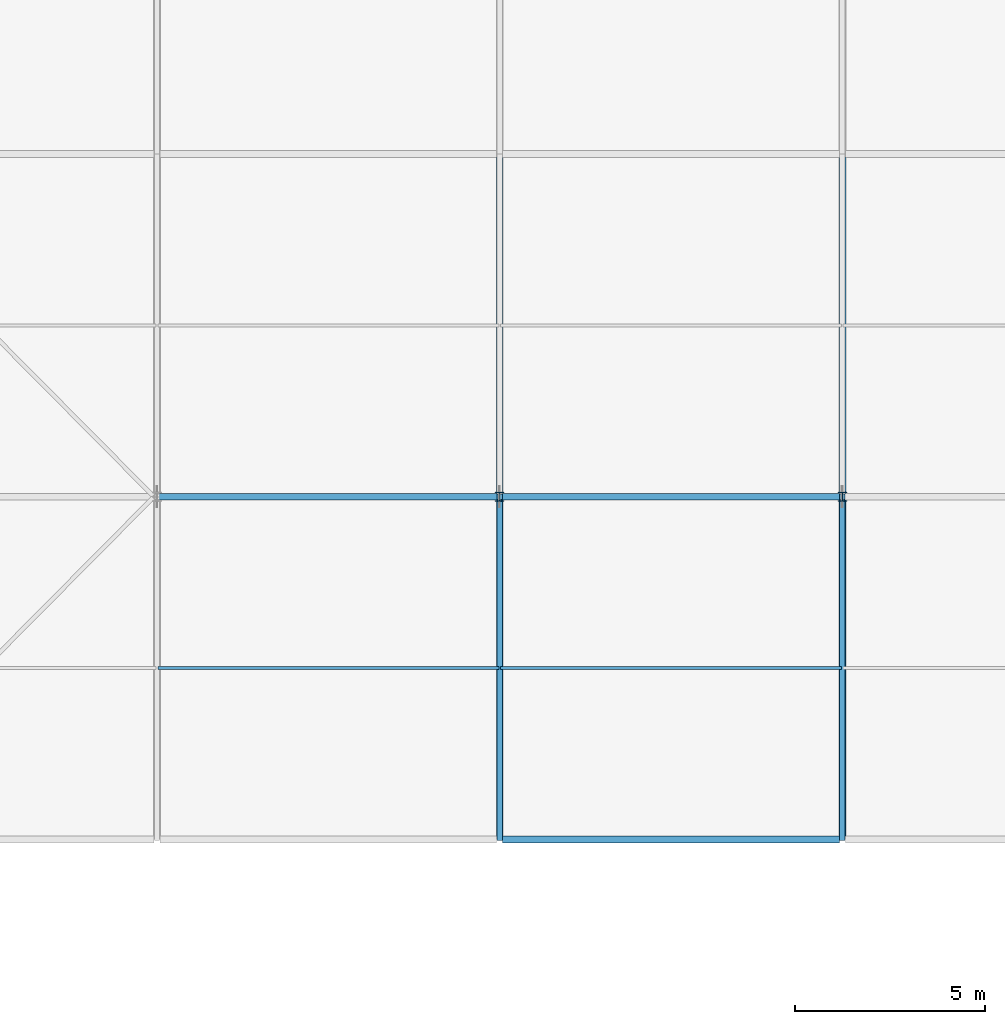
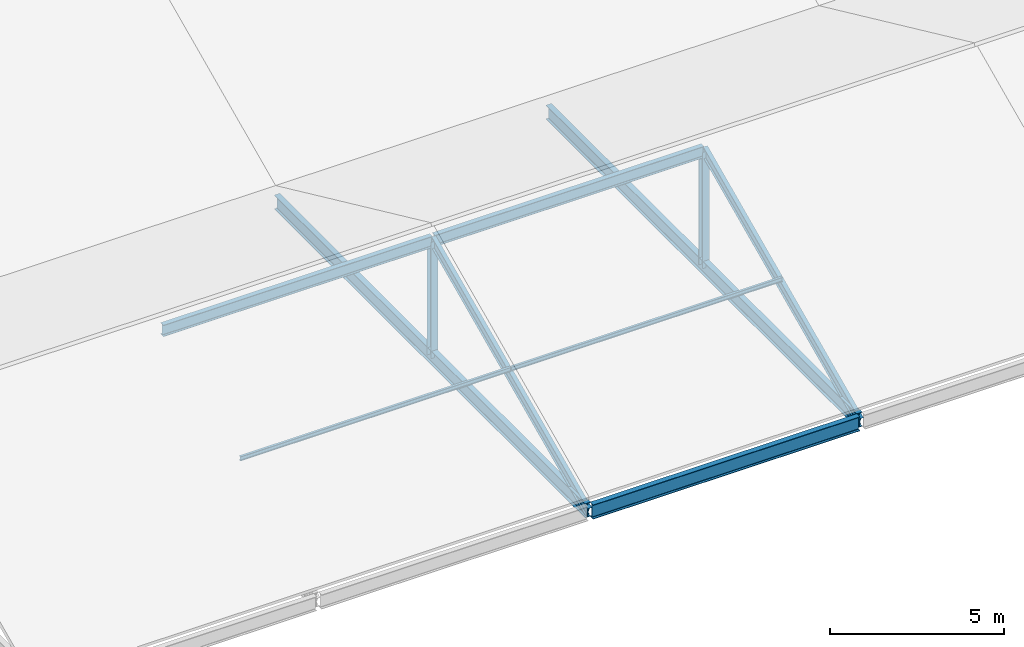
# One storey, part 80 of 163: 8 members, 3 beams.
"""IFC4 building model written with IfcOpenShell, lengths in metres."""

from ifc_helpers import new_model, si_unit, direction, frame, origin, origin_2d, place, context, subcontext, project, spatial, i_section, extrude, material, material_profile, profile_set, type_object, element, save


model = new_model("IFC4")

# Units and contexts
model_context = context("Model", 3, precision=1e-05, world=origin(), true_north=direction((0.0, 1.0)))
body_context = subcontext(model_context, "Body", "Model", "MODEL_VIEW")
ifc_project = project(units=[si_unit("LENGTHUNIT", "METRE"), si_unit("AREAUNIT", "SQUARE_METRE"), si_unit("VOLUMEUNIT", "CUBIC_METRE"), si_unit("PLANEANGLEUNIT", "RADIAN"), si_unit("MASSUNIT", "GRAM", prefix="KILO")], contexts=[model_context])

# Site, building, storey
site_placement = place(None, origin())
site = spatial("IfcSite", under=ifc_project, at=site_placement, CompositionType="ELEMENT")
building_placement = place(site_placement, origin())
building = spatial("IfcBuilding", under=site, at=building_placement, Name="Tharagai Park Tramway Depot", CompositionType="ELEMENT")
storey_placement = place(building_placement, frame((0.0, 0.0, 8.39990234375)))
storey = spatial("IfcBuildingStorey", under=building, at=storey_placement, Name="L02", CompositionType="ELEMENT", Elevation=8.39990234375)

# Beams
ifc_material_1 = material(Name="Steel E350", Category="steel")
ifc_material_profile_1 = material_profile(ifc_material_1, i_section(OverallWidth=0.179931640625, OverallDepth=0.5, WebThickness=0.01025390625, FlangeThickness=0.01708984375, FilletRadius=0.01708984375, at=origin_2d()), Name="ISMB 500")
ifc_profile_set_1 = profile_set([ifc_material_profile_1], Name="Steel E350")
beam_type = type_object("IfcBeamType", Name="BM-18", PredefinedType="BEAM", material=ifc_profile_set_1)
beam_placement = place(storey_placement, frame((180.080078125, 99.0, -0.5), z_axis=(1.0, 0.0, 0.0), x_axis=(0.0, 1.0, 0.0)))
element("IfcBeam", 1, at=beam_placement, inside=storey, type_object=beam_type, Name="V3B1 Roof Eave Girder BM-18", PredefinedType="BEAM", context=body_context, shape_type="SweptSolid", body=[
    extrude(i_section(OverallWidth=0.179931640625, OverallDepth=0.5, WebThickness=0.01025390625, FlangeThickness=0.01708984375, FilletRadius=0.01708984375, at=origin_2d()), origin(), (0.0, 0.0, 1.0), 8.83984375),
])
for number, where, z_axis, x_axis, name in (
    (2, (180.0, 99.080078125, -0.5), (0.0, 1.0, 0.0), (-1.0, 0.0, 0.0), "V3B1 Gable Tie Girder BM-18"),
    (3, (189.0, 99.080078125, -0.5), (0.0, 1.0, 0.0), (-1.0, 0.0, 0.0), "V3B1 Gable Tie Girder BM-18"),
):
    element("IfcBeam", number, at=place(storey_placement, frame(where, z_axis=z_axis, x_axis=x_axis)), inside=storey, type_object=beam_type, Name=name, PredefinedType="BEAM", context=body_context, shape_type="SweptSolid", body=[
        extrude(i_section(OverallWidth=0.179931640625, OverallDepth=0.5, WebThickness=0.01025390625, FlangeThickness=0.01708984375, FilletRadius=0.01708984375, at=origin_2d()), origin(), (0.0, 0.0, 1.0), 17.83984375),
    ])

# Members
ifc_material_profile_2 = material_profile(ifc_material_1, i_section(OverallWidth=0.22509765625, OverallDepth=0.22509765625, WebThickness=0.008544921875, FlangeThickness=0.009033203125, FilletRadius=0.010009765625, at=origin_2d()), Name="ISHB 225")
ifc_profile_set_2 = profile_set([ifc_material_profile_2], Name="Steel E350")
member_type_1 = type_object("IfcMemberType", Name="BR-02", PredefinedType="BRACE", material=ifc_profile_set_2)
for number, where, z_axis, x_axis, name in (
    (4, (180.0, 108.0, -0.5), (0.0, 0.0, 1.0), (1.0, 0.0, 0.0), "V3B1 Gable King Strut BR-02"),
    (5, (189.0, 108.0, -0.5), (0.0, 0.0, 1.0), (1.0, 0.0, 0.0), "V3B1 Gable King Strut BR-02"),
):
    element("IfcMember", number, at=place(storey_placement, frame(where, z_axis=z_axis, x_axis=x_axis)), inside=storey, type_object=member_type_1, Name=name, PredefinedType="BRACE", context=body_context, shape_type="SweptSolid", body=[
        extrude(i_section(OverallWidth=0.22509765625, OverallDepth=0.22509765625, WebThickness=0.008544921875, FlangeThickness=0.009033203125, FilletRadius=0.010009765625, at=origin_2d()), origin(), (0.0, 0.0, 1.0), 4.06982421875),
    ])
ifc_material_2 = material(Name="Steel E250", Category="steel")
ifc_material_profile_3 = material_profile(ifc_material_2, i_section(OverallWidth=0.080078125, OverallDepth=0.14990234375, WebThickness=0.0048828125, FlangeThickness=0.007568359375, FilletRadius=0.009033203125, at=origin_2d()), Name="ISMB 150")
ifc_profile_set_3 = profile_set([ifc_material_profile_3], Name="Steel E250")
member_type_2 = type_object("IfcMemberType", Name="PR-05", PredefinedType="PURLIN", material=ifc_profile_set_3)
for number, where, z_axis, x_axis, name in (
    (6, (171.02001953125, 103.5, 1.77392578125), (1.0, 0.0, 0.0), (0.0, 1.0, 0.0), "V3B1 Roof Purlin PR-05"),
    (7, (180.02001953125, 103.5, 1.77392578125), (1.0, 0.0, 0.0), (0.0, 1.0, 0.0), "V3B1 Roof Purlin PR-05"),
):
    element("IfcMember", number, at=place(storey_placement, frame(where, z_axis=z_axis, x_axis=x_axis)), inside=storey, type_object=member_type_2, Name=name, PredefinedType="PURLIN", context=body_context, shape_type="SweptSolid", body=[
        extrude(i_section(OverallWidth=0.080078125, OverallDepth=0.14990234375, WebThickness=0.0048828125, FlangeThickness=0.007568359375, FilletRadius=0.009033203125, at=origin_2d()), origin(), (0.0, 0.0, 1.0), 8.9599609375),
    ])
ifc_material_profile_4 = material_profile(ifc_material_1, i_section(OverallWidth=0.139892578125, OverallDepth=0.35009765625, WebThickness=0.008056640625, FlangeThickness=0.01416015625, FilletRadius=0.013916015625, at=origin_2d()), Name="ISMB 350")
ifc_profile_set_4 = profile_set([ifc_material_profile_4], Name="Steel E350")
member_type_3 = type_object("IfcMemberType", Name="RF-01", PredefinedType="RAFTER", material=ifc_profile_set_4)
for number, where, z_axis, x_axis, name in (
    (8, (180.0, 99.050048828125, -0.53173828125), (0.0, 0.909083998875, 0.416612869448), (-1.0, 0.0, 0.0), "V3B1 Pitched Rafter RF-01 South"),
    (9, (189.0, 99.050048828125, -0.53173828125), (0.0, 0.909083998875, 0.416612869448), (-1.0, 0.0, 0.0), "V3B1 Pitched Rafter RF-01 South"),
):
    element("IfcMember", number, at=place(storey_placement, frame(where, z_axis=z_axis, x_axis=x_axis)), inside=storey, type_object=member_type_3, Name=name, PredefinedType="RAFTER", context=body_context, shape_type="SweptSolid", body=[
        extrude(i_section(OverallWidth=0.139892578125, OverallDepth=0.35009765625, WebThickness=0.008056640625, FlangeThickness=0.01416015625, FilletRadius=0.013916015625, at=origin_2d()), origin(), (0.0, 0.0, 1.0), 9.844970703125),
    ])
ifc_material_profile_5 = material_profile(ifc_material_1, i_section(OverallWidth=0.1650390625, OverallDepth=0.39990234375, WebThickness=0.008056640625, FlangeThickness=0.012451171875, FilletRadius=0.013916015625, at=origin_2d()), Name="ISLB 400")
ifc_profile_set_5 = profile_set([ifc_material_profile_5], Name="Steel E350")
member_type_4 = type_object("IfcMemberType", Name="TC-04", PredefinedType="CHORD", material=ifc_profile_set_5)
for number, where, z_axis, x_axis, name in (
    (10, (171.0400390625, 108.0, 3.544921875), (1.0, 0.0, 0.0), (0.0, 1.0, 0.0), "V3B1 Roof Ridge Chord TC-04"),
    (11, (180.0400390625, 108.0, 3.544921875), (1.0, 0.0, 0.0), (0.0, 1.0, 0.0), "V3B1 Roof Ridge Chord TC-04"),
):
    element("IfcMember", number, at=place(storey_placement, frame(where, z_axis=z_axis, x_axis=x_axis)), inside=storey, type_object=member_type_4, Name=name, PredefinedType="CHORD", context=body_context, shape_type="SweptSolid", body=[
        extrude(i_section(OverallWidth=0.1650390625, OverallDepth=0.39990234375, WebThickness=0.008056640625, FlangeThickness=0.012451171875, FilletRadius=0.013916015625, at=origin_2d()), origin(), (0.0, 0.0, 1.0), 8.919921875),
    ])

save(model, "model.ifc")
